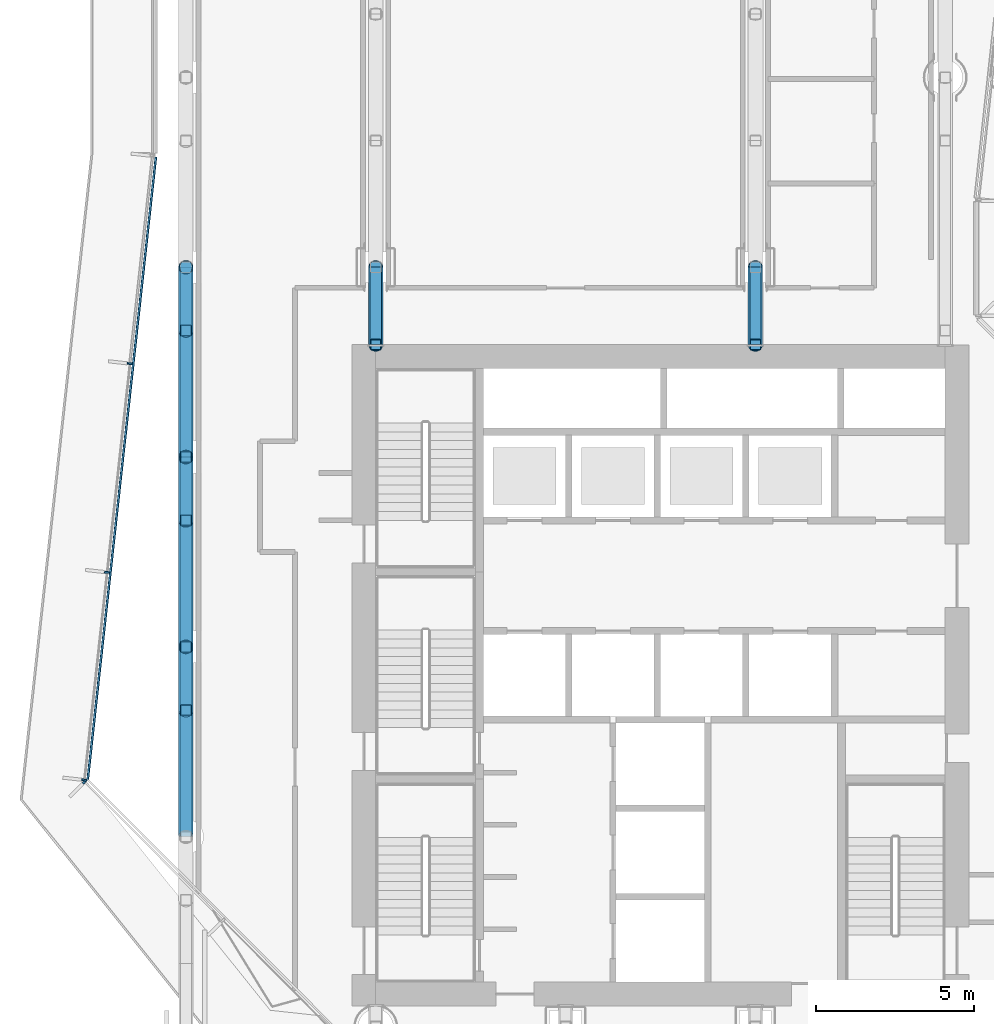
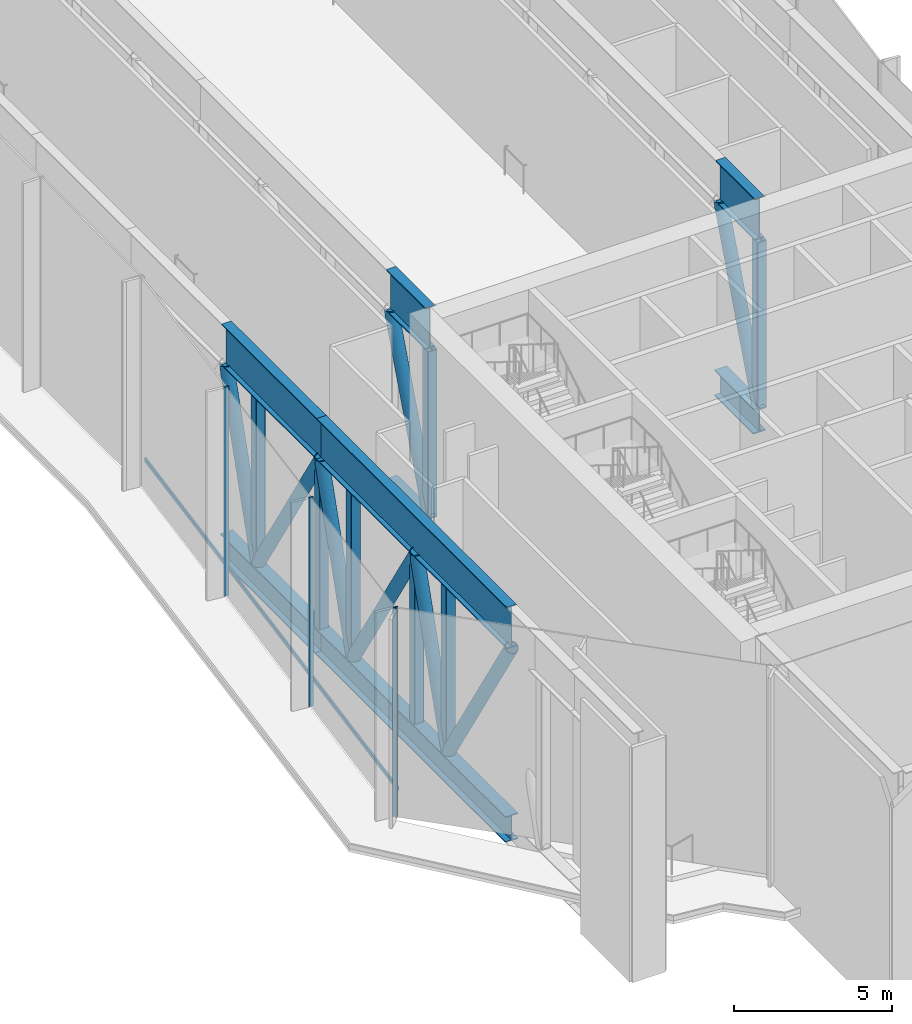
# One storey, part 3 of 24: 28 members, 2 elements without a shape of their own.
"""IFC4 building model written with IfcOpenShell, lengths in metres."""

from ifc_helpers import new_model, si_unit, direction, frame, origin, origin_2d, place, context, subcontext, project, spatial, rectangle, hollow_rectangle, hollow_circle, i_section, extrude, material, layer, layer_set, material_profile, profile_set, type_object, element, aggregate, save


model = new_model("IFC4")

# Units and contexts
model_context = context("Model", 3, precision=1e-05, world=origin(), true_north=direction((0.0, 1.0)))
body_context = subcontext(model_context, "Body", "Model", "MODEL_VIEW")
ifc_project = project(units=[si_unit("LENGTHUNIT", "METRE"), si_unit("AREAUNIT", "SQUARE_METRE"), si_unit("VOLUMEUNIT", "CUBIC_METRE"), si_unit("PLANEANGLEUNIT", "RADIAN"), si_unit("MASSUNIT", "GRAM", prefix="KILO")], contexts=[model_context])

# Site, building, storey
site_placement = place(None, origin())
site = spatial("IfcSite", under=ifc_project, at=site_placement, CompositionType="ELEMENT")
building_placement = place(site_placement, origin())
building = spatial("IfcBuilding", under=site, at=building_placement, Name="Welwitschia Terrace Campus", CompositionType="ELEMENT")
storey_placement = place(building_placement, frame((0.0, 0.0, 138.199951171875)))
storey = spatial("IfcBuildingStorey", under=building, at=storey_placement, Name="L31", CompositionType="ELEMENT", Elevation=138.199951171875)

# Curtain wall, member
ifc_material_1 = material(Name="Bronze anodised aluminium", Category="aluminium")
ifc_layer = layer(ifc_material_1, 0.159912109375)
ifc_layer_set = layer_set([ifc_layer], Name="Bronze anodised aluminium")
curtain_wall_type = type_object("IfcCurtainWallType", Name="Curtain wall CW3 commons 6000", PredefinedType="NOTDEFINED", material=ifc_layer_set)
curtain_wall_1_placement = place(storey_placement, origin())
curtain_wall_1 = element("IfcCurtainWall", 1, at=curtain_wall_1_placement, inside=storey, type_object=curtain_wall_type, Name="CW L31.0.0", PredefinedType="NOTDEFINED")
ifc_material_2 = material(Name="Bronze anodised aluminium", Category="aluminium")
ifc_material_profile_1 = material_profile(ifc_material_2, rectangle(XDim=0.159912109375, YDim=0.06005859375, at=origin_2d()))
ifc_profile_set_1 = profile_set([ifc_material_profile_1], Name="Bronze anodised aluminium")
member_type_1 = type_object("IfcMemberType", Name="Mullion 60x160", PredefinedType="MULLION", material=ifc_profile_set_1)
member_1_placement = place(storey_placement, frame((-3.19580078125, 11.740966796875, 0.0), z_axis=(0.0, 0.0, 1.0), x_axis=(0.70854216269, 0.705668480018, 0.0)))
member_1 = element("IfcMember", 2, at=member_1_placement, type_object=member_type_1, Name="Mullion L31.0.0.0", PredefinedType="MULLION", context=body_context, shape_type="SweptSolid", body=[
    extrude(rectangle(XDim=0.159912109375, YDim=0.06005859375, at=origin_2d()), origin(), (0.0, 0.0, 1.0), 8.050048828125),
])
aggregate(curtain_wall_1, [member_1])

# Curtain wall, members
curtain_wall_2_placement = place(storey_placement, origin())
curtain_wall_2 = element("IfcCurtainWall", 3, at=curtain_wall_2_placement, inside=storey, type_object=curtain_wall_type, Name="CW L31.14.0", PredefinedType="NOTDEFINED")
member_2_placement = place(storey_placement, frame((-1.772216796875, 24.952880859375, 0.0), z_axis=(0.0, 0.0, 1.0), x_axis=(0.994056338222, -0.108866874852, 0.0)))
member_2 = element("IfcMember", 4, at=member_2_placement, type_object=member_type_1, Name="Mullion L31.14.0.1", PredefinedType="MULLION", context=body_context, shape_type="SweptSolid", body=[
    extrude(rectangle(XDim=0.159912109375, YDim=0.06005859375, at=origin_2d()), origin(), (0.0, 0.0, 1.0), 8.050048828125),
])
member_3_placement = place(storey_placement, frame((-2.49462890625, 18.357666015625, 0.0), z_axis=(0.0, 0.0, 1.0), x_axis=(0.994056338222, -0.108866874852, 0.0)))
member_3 = element("IfcMember", 5, at=member_3_placement, type_object=member_type_1, Name="Mullion L31.14.0.2", PredefinedType="MULLION", context=body_context, shape_type="SweptSolid", body=[
    extrude(rectangle(XDim=0.159912109375, YDim=0.06005859375, at=origin_2d()), origin(), (0.0, 0.0, 1.0), 8.050048828125),
])
member_4_placement = place(storey_placement, frame((-3.213623046875, 11.7919921875, 0.0), z_axis=(0.0, 0.0, 1.0), x_axis=(0.994056338222, -0.108866874852, 0.0)))
member_4 = element("IfcMember", 6, at=member_4_placement, type_object=member_type_1, Name="Mullion L31.14.0.3", PredefinedType="MULLION", context=body_context, shape_type="SweptSolid", body=[
    extrude(rectangle(XDim=0.159912109375, YDim=0.06005859375, at=origin_2d()), origin(), (0.0, 0.0, 1.0), 8.050048828125),
])

# Members
ifc_material_3 = material(Name="Steel S355", Category="steel")
ifc_material_profile_2 = material_profile(ifc_material_3, i_section(OverallWidth=0.449951171875, OverallDepth=1.0, WebThickness=0.030029296875, FlangeThickness=0.0400390625, at=origin_2d()))
ifc_profile_set_2 = profile_set([ifc_material_profile_2], Name="Steel S355")
member_type_2 = type_object("IfcMemberType", Name="Transfer truss C2 bottom chord WI 1000x450x30x40", PredefinedType="CHORD", material=ifc_profile_set_2)
member_5_placement = place(storey_placement, frame((0.0, 10.0, -0.5), z_axis=(0.0, 1.0, 0.0), x_axis=(-1.0, 0.0, 0.0)))
element("IfcMember", 7, at=member_5_placement, inside=storey, type_object=member_type_2, Name="Truss bottom chord", PredefinedType="CHORD", context=body_context, shape_type="SweptSolid", body=[
    extrude(i_section(OverallWidth=0.449951171875, OverallDepth=1.0, WebThickness=0.030029296875, FlangeThickness=0.0400390625, at=origin_2d()), origin(), (0.0, 0.0, 1.0), 12.0),
])
member_6_placement = place(storey_placement, frame((0.0, 22.0, -0.5), z_axis=(0.0, 1.0, 0.0), x_axis=(-1.0, 0.0, 0.0)))
element("IfcMember", 8, at=member_6_placement, inside=storey, type_object=member_type_2, Name="Truss bottom chord", PredefinedType="CHORD", context=body_context, shape_type="SweptSolid", body=[
    extrude(i_section(OverallWidth=0.449951171875, OverallDepth=1.0, WebThickness=0.030029296875, FlangeThickness=0.0400390625, at=origin_2d()), origin(), (0.0, 0.0, 1.0), 6.0),
])
for number, where, z_axis, x_axis, name in (
    (9, (6.0, 25.550048828125, -0.5), (0.0, 1.0, 0.0), (-1.0, 0.0, 0.0), "Truss bottom chord"),
    (10, (18.0, 25.550048828125, -0.5), (0.0, 1.0, 0.0), (-1.0, 0.0, 0.0), "Truss bottom chord"),
):
    element("IfcMember", number, at=place(storey_placement, frame(where, z_axis=z_axis, x_axis=x_axis)), inside=storey, type_object=member_type_2, Name=name, PredefinedType="CHORD", context=body_context, shape_type="SweptSolid", body=[
        extrude(i_section(OverallWidth=0.449951171875, OverallDepth=1.0, WebThickness=0.030029296875, FlangeThickness=0.0400390625, at=origin_2d()), origin(), (0.0, 0.0, 1.0), 2.449951171875),
    ])
ifc_material_4 = material(Name="Steel S355", Category="steel")
ifc_material_profile_3 = material_profile(ifc_material_4, hollow_circle(Radius=0.228515625, WallThickness=0.02001953125, at=origin_2d()))
ifc_profile_set_3 = profile_set([ifc_material_profile_3], Name="Steel S355")
member_type_3 = type_object("IfcMemberType", Name="Transfer truss C2 diagonal CHS 457x20", PredefinedType="BRACE", material=ifc_profile_set_3)
member_7_placement = place(storey_placement, frame((0.0, 14.0, 0.0), z_axis=(0.0, -0.527037721004, 0.849841891553), x_axis=(1.0, 0.0, 0.0)))
element("IfcMember", 11, at=member_7_placement, inside=storey, type_object=member_type_3, Name="Truss diagonal", PredefinedType="BRACE", context=body_context, shape_type="SweptSolid", body=[
    extrude(hollow_circle(Radius=0.228515625, WallThickness=0.02001953125, at=origin_2d()), origin(), (0.0, 0.0, 1.0), 7.589599609375),
])
member_8_placement = place(storey_placement, frame((0.0, 14.0, 0.0), z_axis=(0.0, 0.296168365803, 0.955135749042), x_axis=(-1.0, 0.0, 0.0)))
element("IfcMember", 12, at=member_8_placement, inside=storey, type_object=member_type_3, Name="Truss diagonal", PredefinedType="BRACE", context=body_context, shape_type="SweptSolid", body=[
    extrude(hollow_circle(Radius=0.228515625, WallThickness=0.02001953125, at=origin_2d()), origin(), (0.0, 0.0, 1.0), 6.7529296875),
])
member_9_placement = place(storey_placement, frame((0.0, 20.0, 0.0), z_axis=(0.0, -0.527037721004, 0.849841891553), x_axis=(1.0, 0.0, 0.0)))
element("IfcMember", 13, at=member_9_placement, inside=storey, type_object=member_type_3, Name="Truss diagonal", PredefinedType="BRACE", context=body_context, shape_type="SweptSolid", body=[
    extrude(hollow_circle(Radius=0.228515625, WallThickness=0.02001953125, at=origin_2d()), origin(), (0.0, 0.0, 1.0), 7.589599609375),
])
member_10_placement = place(storey_placement, frame((0.0, 20.0, 0.0), z_axis=(0.0, 0.296168365803, 0.955135749042), x_axis=(-1.0, 0.0, 0.0)))
element("IfcMember", 14, at=member_10_placement, inside=storey, type_object=member_type_3, Name="Truss diagonal", PredefinedType="BRACE", context=body_context, shape_type="SweptSolid", body=[
    extrude(hollow_circle(Radius=0.228515625, WallThickness=0.02001953125, at=origin_2d()), origin(), (0.0, 0.0, 1.0), 6.7529296875),
])
member_11_placement = place(storey_placement, frame((0.0, 26.0, 0.0), z_axis=(0.0, -0.527037721004, 0.849841891553), x_axis=(1.0, 0.0, 0.0)))
element("IfcMember", 15, at=member_11_placement, inside=storey, type_object=member_type_3, Name="Truss diagonal", PredefinedType="BRACE", context=body_context, shape_type="SweptSolid", body=[
    extrude(hollow_circle(Radius=0.228515625, WallThickness=0.02001953125, at=origin_2d()), origin(), (0.0, 0.0, 1.0), 7.589599609375),
])
member_12_placement = place(storey_placement, frame((0.0, 26.0, 0.0), z_axis=(0.0, 0.296168365803, 0.955135749042), x_axis=(-1.0, 0.0, 0.0)))
element("IfcMember", 16, at=member_12_placement, inside=storey, type_object=member_type_3, Name="Truss diagonal", PredefinedType="BRACE", context=body_context, shape_type="SweptSolid", body=[
    extrude(hollow_circle(Radius=0.228515625, WallThickness=0.02001953125, at=origin_2d()), origin(), (0.0, 0.0, 1.0), 6.7529296875),
])
for number, where, z_axis, x_axis, name in (
    (17, (6.0, 25.550048828125, 0.0), (0.0, 0.355087274644, 0.934833154839), (-1.0, 0.0, 0.0), "Truss diagonal"),
    (18, (18.0, 25.550048828125, 0.0), (0.0, 0.355087274644, 0.934833154839), (-1.0, 0.0, 0.0), "Truss diagonal"),
):
    element("IfcMember", number, at=place(storey_placement, frame(where, z_axis=z_axis, x_axis=x_axis)), inside=storey, type_object=member_type_3, Name=name, PredefinedType="BRACE", context=body_context, shape_type="SweptSolid", body=[
        extrude(hollow_circle(Radius=0.228515625, WallThickness=0.02001953125, at=origin_2d()), origin(), (0.0, 0.0, 1.0), 6.899658203125),
    ])
ifc_material_5 = material(Name="Steel S355", Category="steel")
ifc_material_profile_4 = material_profile(ifc_material_5, hollow_rectangle(XDim=0.35009765625, YDim=0.35009765625, WallThickness=0.02001953125, InnerFilletRadius=0.02001953125, OuterFilletRadius=0.030029296875, at=origin_2d()))
ifc_profile_set_4 = profile_set([ifc_material_profile_4], Name="Steel S355")
member_type_4 = type_object("IfcMemberType", Name="Transfer truss C2 post SHS 350x350x20", PredefinedType="POST", material=ifc_profile_set_4)
for number, where, z_axis, x_axis, name in (
    (19, (0.0, 14.0, 0.0), (0.0, 0.0, 1.0), (1.0, 0.0, 0.0), "Truss post"),
    (20, (0.0, 16.0, 0.0), (0.0, 0.0, 1.0), (1.0, 0.0, 0.0), "Truss post"),
    (21, (0.0, 20.0, 0.0), (0.0, 0.0, 1.0), (1.0, 0.0, 0.0), "Truss post"),
    (22, (0.0, 22.0, 0.0), (0.0, 0.0, 1.0), (1.0, 0.0, 0.0), "Truss post"),
    (23, (0.0, 26.0, 0.0), (0.0, 0.0, 1.0), (1.0, 0.0, 0.0), "Truss post"),
    (24, (6.0, 25.550048828125, 0.0), (0.0, 0.0, 1.0), (1.0, 0.0, 0.0), "Truss post"),
    (25, (18.0, 25.550048828125, 0.0), (0.0, 0.0, 1.0), (1.0, 0.0, 0.0), "Truss post"),
):
    element("IfcMember", number, at=place(storey_placement, frame(where, z_axis=z_axis, x_axis=x_axis)), inside=storey, type_object=member_type_4, Name=name, PredefinedType="POST", context=body_context, shape_type="SweptSolid", body=[
        extrude(hollow_rectangle(XDim=0.35009765625, YDim=0.35009765625, WallThickness=0.02001953125, InnerFilletRadius=0.02001953125, OuterFilletRadius=0.030029296875, at=origin_2d()), origin(), (0.0, 0.0, 1.0), 6.449951171875),
    ])
ifc_material_6 = material(Name="Steel S355", Category="steel")
ifc_material_profile_5 = material_profile(ifc_material_6, i_section(OverallWidth=0.35009765625, OverallDepth=1.60009765625, WebThickness=0.030029296875, FlangeThickness=0.0400390625, at=origin_2d()))
ifc_profile_set_5 = profile_set([ifc_material_profile_5], Name="Steel S355")
member_type_5 = type_object("IfcMemberType", Name="Transfer truss C2 top chord WI 1600x350x30x40", PredefinedType="CHORD", material=ifc_profile_set_5)
member_13_placement = place(storey_placement, frame((0.0, 10.0, 7.25), z_axis=(0.0, 1.0, 0.0), x_axis=(-1.0, 0.0, 0.0)))
element("IfcMember", 26, at=member_13_placement, inside=storey, type_object=member_type_5, Name="Truss top chord", PredefinedType="CHORD", context=body_context, shape_type="SweptSolid", body=[
    extrude(i_section(OverallWidth=0.35009765625, OverallDepth=1.60009765625, WebThickness=0.030029296875, FlangeThickness=0.0400390625, at=origin_2d()), origin(), (0.0, 0.0, 1.0), 12.0),
])
member_14_placement = place(storey_placement, frame((0.0, 22.0, 7.25), z_axis=(0.0, 1.0, 0.0), x_axis=(-1.0, 0.0, 0.0)))
element("IfcMember", 27, at=member_14_placement, inside=storey, type_object=member_type_5, Name="Truss top chord", PredefinedType="CHORD", context=body_context, shape_type="SweptSolid", body=[
    extrude(i_section(OverallWidth=0.35009765625, OverallDepth=1.60009765625, WebThickness=0.030029296875, FlangeThickness=0.0400390625, at=origin_2d()), origin(), (0.0, 0.0, 1.0), 6.0),
])
for number, where, z_axis, x_axis, name in (
    (28, (6.0, 25.550048828125, 7.25), (0.0, 1.0, 0.0), (-1.0, 0.0, 0.0), "Truss top chord"),
    (29, (18.0, 25.550048828125, 7.25), (0.0, 1.0, 0.0), (-1.0, 0.0, 0.0), "Truss top chord"),
):
    element("IfcMember", number, at=place(storey_placement, frame(where, z_axis=z_axis, x_axis=x_axis)), inside=storey, type_object=member_type_5, Name=name, PredefinedType="CHORD", context=body_context, shape_type="SweptSolid", body=[
        extrude(i_section(OverallWidth=0.35009765625, OverallDepth=1.60009765625, WebThickness=0.030029296875, FlangeThickness=0.0400390625, at=origin_2d()), origin(), (0.0, 0.0, 1.0), 2.449951171875),
    ])

# Member
ifc_material_7 = material(Name="Bronze anodised aluminium", Category="aluminium")
ifc_material_profile_6 = material_profile(ifc_material_7, rectangle(XDim=0.06005859375, YDim=0.14990234375, at=origin_2d()))
ifc_profile_set_6 = profile_set([ifc_material_profile_6], Name="Bronze anodised aluminium")
member_type_6 = type_object("IfcMemberType", Name="Transom 60x150", PredefinedType="USERDEFINED", material=ifc_profile_set_6)
member_15_placement = place(storey_placement, frame((-0.947265625, 31.4765625, 1.0), z_axis=(-0.108865682251, -0.994056468833, 0.0), x_axis=(0.994056468833, -0.108865682251, 0.0)))
member_15 = element("IfcMember", 30, at=member_15_placement, type_object=member_type_6, Name="Transom L31.14.0", ObjectType="TRANSOM", PredefinedType="USERDEFINED", context=body_context, shape_type="SweptSolid", body=[
    extrude(rectangle(XDim=0.06005859375, YDim=0.14990234375, at=origin_2d()), origin(), (0.0, 0.0, 1.0), 19.7841796875),
])

aggregate(curtain_wall_2, [member_2, member_3, member_4, member_15])

save(model, "model.ifc")
